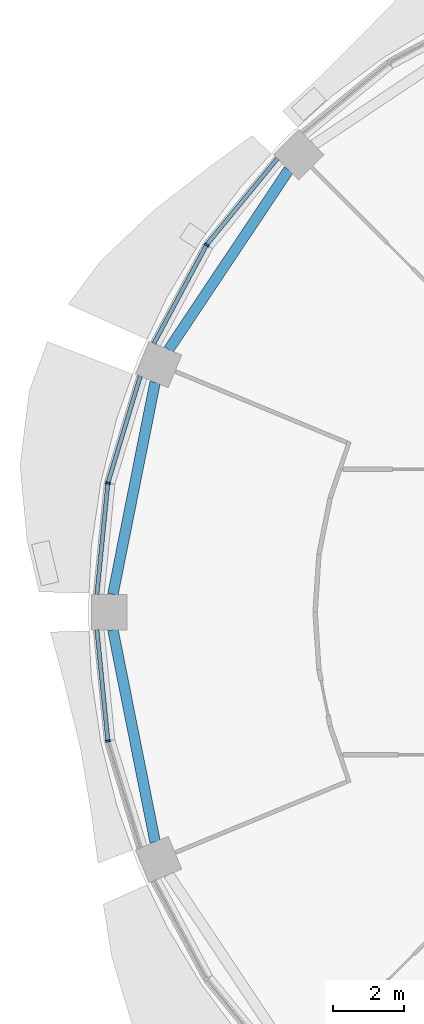
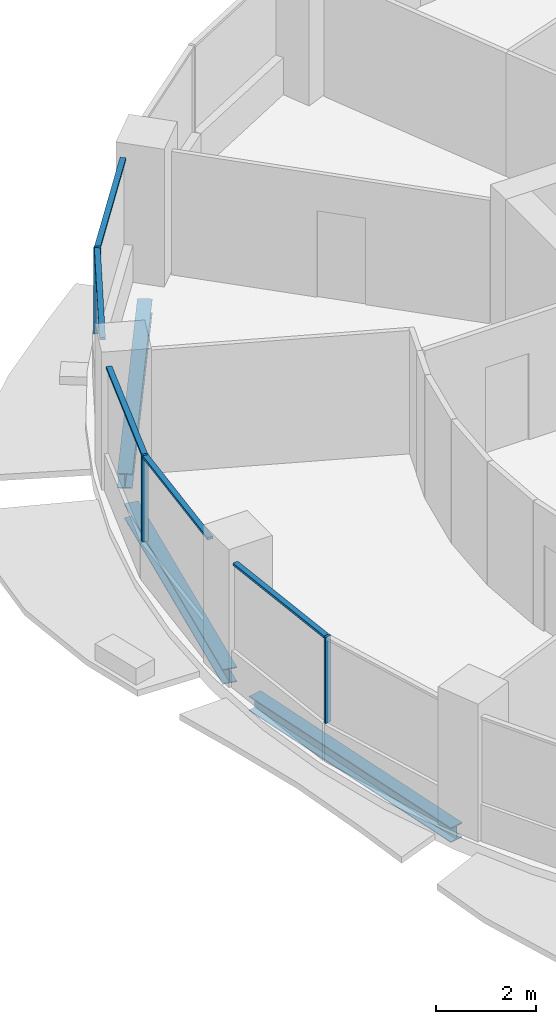
# One storey, part 4 of 15: 8 members, 3 beams, 3 elements without a shape of their own.
"""IFC4 building model written with IfcOpenShell, lengths in metres."""

from ifc_helpers import new_model, si_unit, direction, frame, origin, origin_2d, place, context, subcontext, project, spatial, rectangle, i_section, extrude, material, material_profile, profile_set, type_object, element, aggregate, save


model = new_model("IFC4")

# Units and contexts
model_context = context("Model", 3, precision=1e-05, world=origin(), true_north=direction((0.0, 1.0)))
body_context = subcontext(model_context, "Body", "Model", "MODEL_VIEW")
ifc_project = project(units=[si_unit("LENGTHUNIT", "METRE"), si_unit("AREAUNIT", "SQUARE_METRE"), si_unit("VOLUMEUNIT", "CUBIC_METRE"), si_unit("PLANEANGLEUNIT", "RADIAN"), si_unit("MASSUNIT", "GRAM", prefix="KILO")], contexts=[model_context])

# Site, building, storey
site_placement = place(None, origin())
site = spatial("IfcSite", under=ifc_project, at=site_placement, CompositionType="ELEMENT")
building_placement = place(site_placement, origin())
building = spatial("IfcBuilding", under=site, at=building_placement, Name="Polderwave Tower", CompositionType="ELEMENT")
storey_placement = place(building_placement, frame((0.0, 0.0, 157.800048828125)))
storey = spatial("IfcBuildingStorey", under=building, at=storey_placement, Name="L42", CompositionType="ELEMENT", Elevation=157.800048828125)

# Curtain wall, member
ifc_material_1 = material(Name="Aluminium 6063-T6 and glass", Category="aluminium")
curtain_wall_type = type_object("IfcCurtainWallType", Name="Office ribbon glazing wall", PredefinedType="NOTDEFINED", material=ifc_material_1)
curtain_wall_1_placement = place(storey_placement, origin())
curtain_wall_1 = element("IfcCurtainWall", 1, at=curtain_wall_1_placement, inside=storey, type_object=curtain_wall_type, Name="CW3 L42 06", PredefinedType="NOTDEFINED")
ifc_material_2 = material(Name="Aluminium 6063-T6", Category="aluminium")
ifc_material_profile_1 = material_profile(ifc_material_2, rectangle(XDim=0.139892578125, YDim=0.054931640625, at=origin_2d()), Name="AL 55x140")
ifc_profile_set_1 = profile_set([ifc_material_profile_1], Name="Aluminium 6063-T6")
member_type_1 = type_object("IfcMemberType", Name="Office ribbon glazing mullion 55x140", PredefinedType="MULLION", material=ifc_profile_set_1)
member_1_placement = place(storey_placement, frame((-15.489990234375, 10.35009765625, 0.89990234375), z_axis=(0.0, 0.0, 1.0), x_axis=(0.831484156812, -0.555548465006, 0.0)))
member_1 = element("IfcMember", 2, at=member_1_placement, type_object=member_type_1, Name="CW3 mullion 1", PredefinedType="MULLION", context=body_context, shape_type="SweptSolid", body=[
    extrude(rectangle(XDim=0.139892578125, YDim=0.054931640625, at=origin_2d()), origin(), (0.0, 0.0, 1.0), 2.10009765625),
])

curtain_wall_2_placement = place(storey_placement, origin())
curtain_wall_2 = element("IfcCurtainWall", 3, at=curtain_wall_2_placement, inside=storey, type_object=curtain_wall_type, Name="CW3 L42 07", PredefinedType="NOTDEFINED")
member_2_placement = place(storey_placement, frame((-18.27197265625, 3.635009765625, 0.89990234375), z_axis=(0.0, 0.0, 1.0), x_axis=(0.980786642367, -0.195083474838, 0.0)))
member_2 = element("IfcMember", 4, at=member_2_placement, type_object=member_type_1, Name="CW3 mullion 1", PredefinedType="MULLION", context=body_context, shape_type="SweptSolid", body=[
    extrude(rectangle(XDim=0.139892578125, YDim=0.054931640625, at=origin_2d()), origin(), (0.0, 0.0, 1.0), 2.10009765625),
])

curtain_wall_3_placement = place(storey_placement, origin())
curtain_wall_3 = element("IfcCurtainWall", 5, at=curtain_wall_3_placement, inside=storey, type_object=curtain_wall_type, Name="CW3 L42 08", PredefinedType="NOTDEFINED")
member_3_placement = place(storey_placement, frame((-18.27197265625, -3.635009765625, 0.89990234375), z_axis=(0.0, 0.0, 1.0), x_axis=(0.980786642367, 0.195083474838, 0.0)))
member_3 = element("IfcMember", 6, at=member_3_placement, type_object=member_type_1, Name="CW3 mullion 1", PredefinedType="MULLION", context=body_context, shape_type="SweptSolid", body=[
    extrude(rectangle(XDim=0.139892578125, YDim=0.054931640625, at=origin_2d()), origin(), (0.0, 0.0, 1.0), 2.10009765625),
])

# Member
ifc_material_profile_2 = material_profile(ifc_material_2, rectangle(XDim=0.1201171875, YDim=0.06005859375, at=origin_2d()), Name="AL 60x120")
ifc_profile_set_2 = profile_set([ifc_material_profile_2], Name="Aluminium 6063-T6")
member_type_2 = type_object("IfcMemberType", Name="Office ribbon glazing transom 60x120", PredefinedType="USERDEFINED", material=ifc_profile_set_2)
member_4_placement = place(storey_placement, frame((-13.491943359375, 12.784912109375, 2.969970703125), z_axis=(-0.634382512988, -0.773019292913, 0.0), x_axis=(0.773019292913, -0.634382512988, 0.0)))
member_4 = element("IfcMember", 7, at=member_4_placement, type_object=member_type_2, Name="CW3 transom 1", ObjectType="TRANSOM", PredefinedType="USERDEFINED", context=body_context, shape_type="SweptSolid", body=[
    extrude(rectangle(XDim=0.1201171875, YDim=0.06005859375, at=origin_2d()), origin(), (0.0, 0.0, 1.0), 3.122314453125),
])

member_5_placement = place(storey_placement, frame((-15.5029296875, 10.32568359375, 2.969970703125), z_axis=(-0.471472684712, -0.881880665153, 0.0), x_axis=(0.881880665153, -0.471472684712, 0.0)))
member_5 = element("IfcMember", 8, at=member_5_placement, type_object=member_type_2, Name="CW3 transom 2", ObjectType="TRANSOM", PredefinedType="USERDEFINED", context=body_context, shape_type="SweptSolid", body=[
    extrude(rectangle(XDim=0.1201171875, YDim=0.06005859375, at=origin_2d()), origin(), (0.0, 0.0, 1.0), 3.12255859375),
])

aggregate(curtain_wall_1, [member_1, member_4, member_5])

member_6_placement = place(storey_placement, frame((-17.35791015625, 6.64892578125, 2.969970703125), z_axis=(-0.290209241883, -0.956963215555, 0.0), x_axis=(0.956963215555, -0.290209241883, 0.0)))
member_6 = element("IfcMember", 9, at=member_6_placement, type_object=member_type_2, Name="CW3 transom 1", ObjectType="TRANSOM", PredefinedType="USERDEFINED", context=body_context, shape_type="SweptSolid", body=[
    extrude(rectangle(XDim=0.1201171875, YDim=0.06005859375, at=origin_2d()), origin(), (0.0, 0.0, 1.0), 3.121826171875),
])

member_7_placement = place(storey_placement, frame((-18.274658203125, 3.607666015625, 2.969970703125), z_axis=(-0.098118026186, -0.995174785119, 0.0), x_axis=(0.995174785119, -0.098118026186, 0.0)))
member_7 = element("IfcMember", 10, at=member_7_placement, type_object=member_type_2, Name="CW3 transom 2", ObjectType="TRANSOM", PredefinedType="USERDEFINED", context=body_context, shape_type="SweptSolid", body=[
    extrude(rectangle(XDim=0.1201171875, YDim=0.06005859375, at=origin_2d()), origin(), (0.0, 0.0, 1.0), 3.122802734375),
])

aggregate(curtain_wall_2, [member_2, member_6, member_7])

member_8_placement = place(storey_placement, frame((-18.5810546875, -0.5, 2.969970703125), z_axis=(0.098118026186, -0.995174785119, 0.0), x_axis=(0.995174785119, 0.098118026186, 0.0)))
member_8 = element("IfcMember", 11, at=member_8_placement, type_object=member_type_2, Name="CW3 transom 1", ObjectType="TRANSOM", PredefinedType="USERDEFINED", context=body_context, shape_type="SweptSolid", body=[
    extrude(rectangle(XDim=0.1201171875, YDim=0.06005859375, at=origin_2d()), origin(), (0.0, 0.0, 1.0), 3.122802734375),
])

aggregate(curtain_wall_3, [member_3, member_8])

# Beams
ifc_material_3 = material(Name="Steel S355", Category="steel")
ifc_material_profile_3 = material_profile(ifc_material_3, i_section(OverallWidth=0.300048828125, OverallDepth=0.360107421875, WebThickness=0.012451171875, FlangeThickness=0.0224609375, at=origin_2d()), Name="HE 360 B")
ifc_profile_set_3 = profile_set([ifc_material_profile_3], Name="Steel S355")
beam_type = type_object("IfcBeamType", Name="RING BEAM HE 360 B", PredefinedType="BEAM", material=ifc_profile_set_3)
for number, where, z_axis, x_axis, name in (
    (12, (-13.173828125, 12.466796875, -0.530029296875), (-0.555550531273, -0.831482776251, 0.0), (0.831482776251, -0.555550531273, 0.0), "ST-RB-L42-06"),
    (13, (-16.94189453125, 6.476318359375, -0.530029296875), (-0.19508354483, -0.980786628445, 0.0), (0.980786628445, -0.19508354483, 0.0), "ST-RB-L42-07"),
    (14, (-18.130615234375, -0.5, -0.530029296875), (0.19508354483, -0.980786628445, 0.0), (0.980786628445, 0.19508354483, 0.0), "ST-RB-L42-08"),
):
    element("IfcBeam", number, at=place(storey_placement, frame(where, z_axis=z_axis, x_axis=x_axis)), inside=storey, type_object=beam_type, Name=name, PredefinedType="BEAM", context=body_context, shape_type="SweptSolid", body=[
        extrude(i_section(OverallWidth=0.300048828125, OverallDepth=0.360107421875, WebThickness=0.012451171875, FlangeThickness=0.0224609375, at=origin_2d()), origin(), (0.0, 0.0, 1.0), 6.093505859375),
    ])

save(model, "model.ifc")
